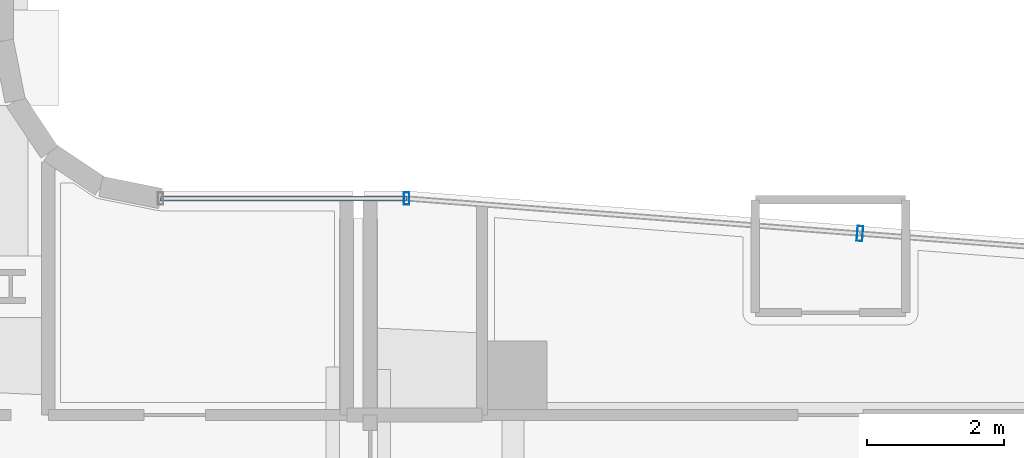
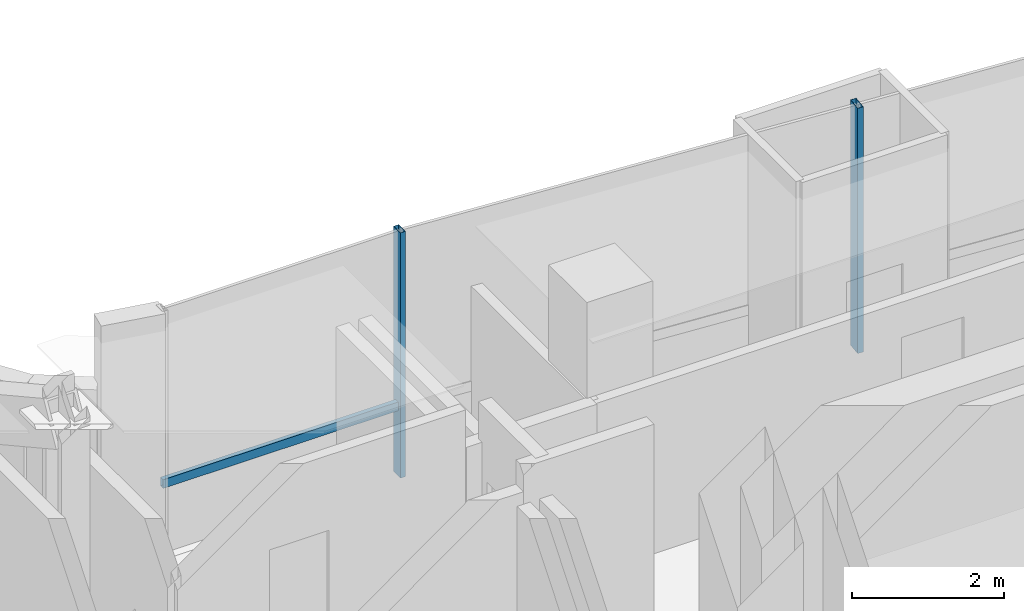
# One storey, part 22 of 37: 3 members, 2 elements without a shape of their own.
"""IFC4 building model written with IfcOpenShell, lengths in metres."""

from ifc_helpers import new_model, si_unit, direction, frame, origin, origin_2d, place, context, subcontext, project, spatial, hollow_rectangle, extrude, source, transform, mapped, material, material_profile, profile_set, type_object, element, aggregate, save


model = new_model("IFC4")

# Units and contexts
model_context = context("Model", 3, precision=1e-05, world=origin(), true_north=direction((0.0, 1.0)))
body_context = subcontext(model_context, "Body", "Model", "MODEL_VIEW")
ifc_project = project(units=[si_unit("LENGTHUNIT", "METRE"), si_unit("AREAUNIT", "SQUARE_METRE"), si_unit("VOLUMEUNIT", "CUBIC_METRE"), si_unit("PLANEANGLEUNIT", "RADIAN"), si_unit("MASSUNIT", "GRAM", prefix="KILO")], contexts=[model_context])

# Site, building, storey
site_placement = place(None, origin())
site = spatial("IfcSite", under=ifc_project, at=site_placement, CompositionType="ELEMENT")
building_placement = place(site_placement, origin())
building = spatial("IfcBuilding", under=site, at=building_placement, Name="Valdorenza Pilgrim Sanctuary Tower", CompositionType="ELEMENT")
storey_placement = place(building_placement, frame((0.0, 0.0, 172.300048828125)))
storey = spatial("IfcBuildingStorey", under=building, at=storey_placement, Name="L44", CompositionType="ELEMENT", Elevation=172.300048828125)

# Curtain wall, members
ifc_material_1 = material(Name="Curtain-wall IGU glazing", Category="glass")
curtain_wall_type_1 = type_object("IfcCurtainWallType", Name="CW-SYS-05", PredefinedType="NOTDEFINED", material=ifc_material_1)
curtain_wall_1_placement = place(storey_placement, origin())
curtain_wall_1 = element("IfcCurtainWall", 1, at=curtain_wall_1_placement, inside=storey, type_object=curtain_wall_type_1, Name="L44 Curtain Wall CW-L44-1-31", PredefinedType="NOTDEFINED")
ifc_material_2 = material(Name="Anodised aluminium AW-6060", Category="aluminium")
ifc_material_profile_1 = material_profile(ifc_material_2, hollow_rectangle(XDim=0.080078125, YDim=0.179931640625, WallThickness=0.00439453125, at=origin_2d()), Name="ALU-M 180x80x4.5")
ifc_profile_set_1 = profile_set([ifc_material_profile_1], Name="Anodised aluminium AW-6060")
member_type_1 = type_object("IfcMemberType", Name="CW-MUL-05", PredefinedType="MULLION", material=ifc_profile_set_1)
shared_shape_1 = source(origin(), body_context, "Body", "SweptSolid", [
    extrude(hollow_rectangle(XDim=0.080078125, YDim=0.179931640625, WallThickness=0.00439453125, at=origin_2d()), origin(), (0.0, 0.0, 1.0), 3.929931640625),
])
member_1_placement = place(storey_placement, frame((14.295654296875, 16.090087890625, 0.0), z_axis=(0.0, 0.0, 1.0), x_axis=(1.0, 0.0, 0.0)))
member_1 = element("IfcMember", 2, at=member_1_placement, type_object=member_type_1, Name="CW-L44-1-31 Mullion 2", PredefinedType="MULLION", context=body_context, shape_type="MappedRepresentation", body=[
    mapped(shared_shape_1, transform((0.0, 0.0, 0.0), x_axis=(1.0, 0.0, 0.0), y_axis=(0.0, 1.0, 0.0), z_axis=(0.0, 0.0, 1.0), scale=1.0)),
])
ifc_material_profile_2 = material_profile(ifc_material_2, hollow_rectangle(XDim=0.070068359375, YDim=0.139892578125, WallThickness=0.00341796875, at=origin_2d()), Name="ALU-T 140x70x3.5")
ifc_profile_set_2 = profile_set([ifc_material_profile_2], Name="Anodised aluminium AW-6060")
member_type_2 = type_object("IfcMemberType", Name="CW-TRN-05", PredefinedType="USERDEFINED", material=ifc_profile_set_2)
shared_shape_2 = source(origin(), body_context, "Body", "SweptSolid", [
    extrude(hollow_rectangle(XDim=0.070068359375, YDim=0.139892578125, WallThickness=0.00341796875, at=origin_2d()), origin(), (0.0, 0.0, 1.0), 3.6025390625),
])
member_2_placement = place(storey_placement, frame((10.693115234375, 16.090087890625, 1.119873046875), z_axis=(1.0, 0.0, 0.0), x_axis=(0.0, 1.0, 0.0)))
member_2 = element("IfcMember", 3, at=member_2_placement, type_object=member_type_2, Name="CW-L44-1-31 Transom 1", ObjectType="TRANSOM", PredefinedType="USERDEFINED", context=body_context, shape_type="MappedRepresentation", body=[
    mapped(shared_shape_2, transform((0.0, 0.0, 0.0), x_axis=(1.0, 0.0, 0.0), y_axis=(0.0, 1.0, 0.0), z_axis=(0.0, 0.0, 1.0), scale=1.0)),
])
aggregate(curtain_wall_1, [member_1, member_2])

# Curtain wall, member
curtain_wall_type_2 = type_object("IfcCurtainWallType", Name="CW-SYS-03", PredefinedType="NOTDEFINED", material=ifc_material_1)
curtain_wall_2_placement = place(storey_placement, origin())
curtain_wall_2 = element("IfcCurtainWall", 4, at=curtain_wall_2_placement, inside=storey, type_object=curtain_wall_type_2, Name="L44 Curtain Wall CW-L44-1-32", PredefinedType="NOTDEFINED")
ifc_material_profile_3 = material_profile(ifc_material_2, hollow_rectangle(XDim=0.0849609375, YDim=0.219970703125, WallThickness=0.0048828125, at=origin_2d()), Name="ALU-M 220x85x5")
ifc_profile_set_3 = profile_set([ifc_material_profile_3], Name="Anodised aluminium AW-6060")
member_type_3 = type_object("IfcMemberType", Name="CW-MUL-03", PredefinedType="MULLION", material=ifc_profile_set_3)
shared_shape_3 = source(origin(), body_context, "Body", "SweptSolid", [
    extrude(hollow_rectangle(XDim=0.0849609375, YDim=0.219970703125, WallThickness=0.0048828125, at=origin_2d()), origin(), (0.0, 0.0, 1.0), 3.929931640625),
])
member_3_placement = place(storey_placement, frame((20.93115234375, 15.576416015625, 0.0), z_axis=(0.0, 0.0, 1.0), x_axis=(0.997016488532, -0.077188869631, 0.0)))
member_3 = element("IfcMember", 5, at=member_3_placement, type_object=member_type_3, Name="CW-L44-1-32 Mullion 2", PredefinedType="MULLION", context=body_context, shape_type="MappedRepresentation", body=[
    mapped(shared_shape_3, transform((0.0, 0.0, 0.0), x_axis=(1.0, 0.0, 0.0), y_axis=(0.0, 1.0, 0.0), z_axis=(0.0, 0.0, 1.0), scale=1.0)),
])
aggregate(curtain_wall_2, [member_3])

save(model, "model.ifc")
